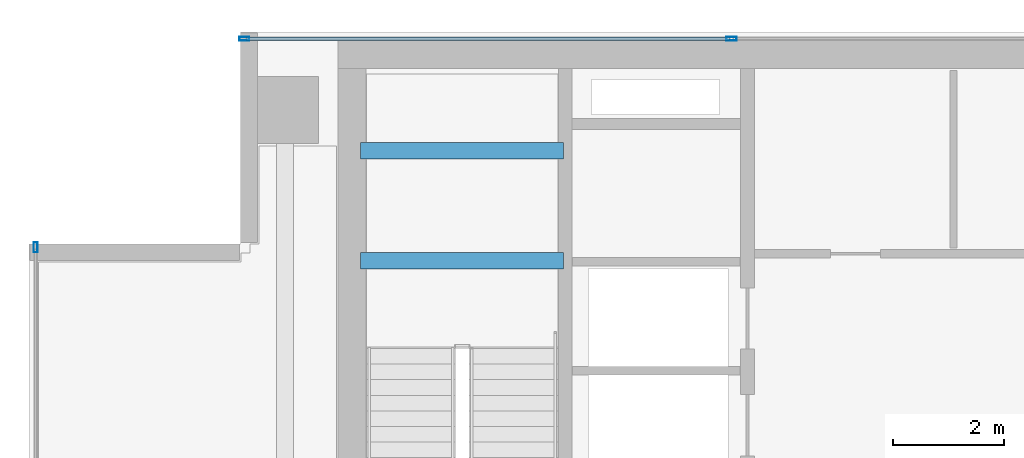
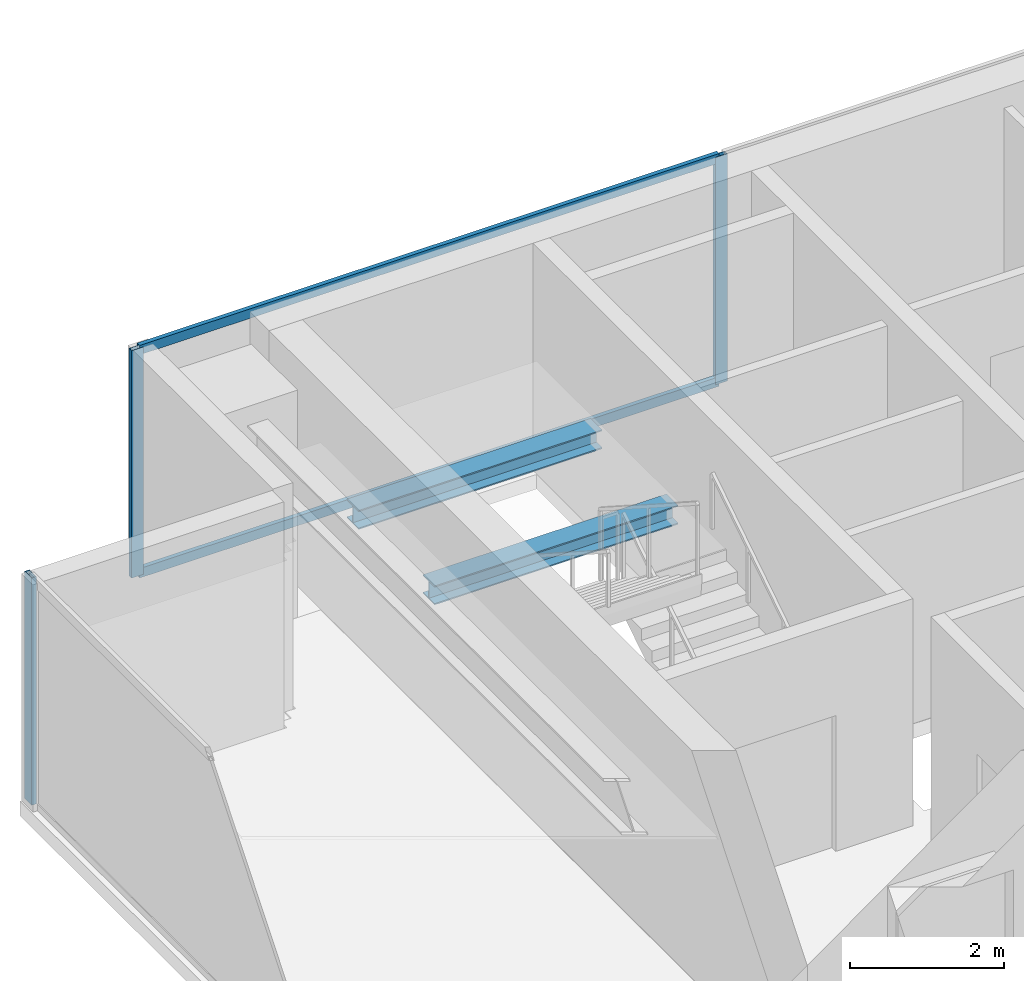
# One storey, part 11 of 21: 5 members, 2 beams, 2 elements without a shape of their own.
"""IFC4 building model written with IfcOpenShell, lengths in metres."""

from ifc_helpers import new_model, si_unit, direction, frame, origin, origin_2d, place, context, subcontext, project, spatial, hollow_rectangle, i_section, extrude, source, transform, mapped, material, layer, layer_set, material_profile, profile_set, type_object, element, aggregate, save


model = new_model("IFC4")

# Units and contexts
model_context = context("Model", 3, precision=1e-05, world=origin(), true_north=direction((0.0, 1.0)))
body_context = subcontext(model_context, "Body", "Model", "MODEL_VIEW")
ifc_project = project(units=[si_unit("LENGTHUNIT", "METRE"), si_unit("AREAUNIT", "SQUARE_METRE"), si_unit("VOLUMEUNIT", "CUBIC_METRE"), si_unit("PLANEANGLEUNIT", "RADIAN"), si_unit("MASSUNIT", "GRAM", prefix="KILO")], contexts=[model_context])

# Site, building, storey
site_placement = place(None, origin())
site = spatial("IfcSite", under=ifc_project, at=site_placement, CompositionType="ELEMENT")
building_placement = place(site_placement, origin())
building = spatial("IfcBuilding", under=site, at=building_placement, Name="Sumidabori Civic Tower", CompositionType="ELEMENT")
storey_placement = place(building_placement, frame((0.0, 0.0, 290.0)))
storey = spatial("IfcBuildingStorey", under=building, at=storey_placement, Name="L76", CompositionType="ELEMENT", Elevation=290.0)

# Beams
ifc_material_1 = material(Name="Steel SN490", Category="steel")
ifc_material_profile_1 = material_profile(ifc_material_1, i_section(OverallWidth=0.300048828125, OverallDepth=0.300048828125, WebThickness=0.010986328125, FlangeThickness=0.01904296875, at=origin_2d()), Name="HE 300 B")
ifc_profile_set_1 = profile_set([ifc_material_profile_1], Name="Steel SN490")
beam_type = type_object("IfcBeamType", Name="BM-LDG-300", PredefinedType="BEAM", material=ifc_profile_set_1)
shared_shape_1 = source(origin(), body_context, "Body", "SweptSolid", [
    extrude(i_section(OverallWidth=0.300048828125, OverallDepth=0.300048828125, WebThickness=0.010986328125, FlangeThickness=0.01904296875, at=origin_2d()), origin(), (0.0, 0.0, 1.0), 3.64990234375),
])
for number, where, z_axis, x_axis, name in (
    (1, (-15.449951171875, 20.09765625, 1.449951171875), (1.0, 0.0, 0.0), (0.0, 1.0, 0.0), "Stair ST-1 Landing Support Beam L76-1A"),
    (2, (-15.449951171875, 22.069580078125, 1.449951171875), (1.0, 0.0, 0.0), (0.0, 1.0, 0.0), "Stair ST-1 Landing Trimmer Beam L76-1B"),
):
    element("IfcBeam", number, at=place(storey_placement, frame(where, z_axis=z_axis, x_axis=x_axis)), inside=storey, type_object=beam_type, Name=name, PredefinedType="BEAM", context=body_context, shape_type="MappedRepresentation", body=[
        mapped(shared_shape_1, transform((0.0, 0.0, 0.0), x_axis=(1.0, 0.0, 0.0), y_axis=(0.0, 1.0, 0.0), z_axis=(0.0, 0.0, 1.0), scale=1.0)),
    ])

# Curtain wall, members
ifc_material_2 = material(Name="Anodised Bronze Aluminium AW-6063-T6", Category="aluminium")
ifc_layer = layer(ifc_material_2, 0.179931640625, Name="Anodised Bronze Aluminium AW-6063-T6")
ifc_layer_set = layer_set([ifc_layer], Name="Anodised Bronze Aluminium AW-6063-T6")
curtain_wall_type = type_object("IfcCurtainWallType", Name="CW-SYS-6", PredefinedType="NOTDEFINED", material=ifc_layer_set)
curtain_wall_1_placement = place(storey_placement, origin())
curtain_wall_1 = element("IfcCurtainWall", 3, at=curtain_wall_1_placement, inside=storey, type_object=curtain_wall_type, Name="Curtain Wall CW:L76:R07", PredefinedType="NOTDEFINED")
ifc_material_profile_2 = material_profile(ifc_material_2, hollow_rectangle(XDim=0.06494140625, YDim=0.14990234375, WallThickness=0.0048828125, at=origin_2d()), Name="ALU TRANSOM 150x65")
ifc_profile_set_2 = profile_set([ifc_material_profile_2], Name="Anodised Bronze Aluminium AW-6063-T6")
member_type_1 = type_object("IfcMemberType", Name="CW-TRN-150", PredefinedType="USERDEFINED", material=ifc_profile_set_2)
shared_shape_2 = source(origin(), body_context, "Body", "SweptSolid", [
    extrude(hollow_rectangle(XDim=0.06494140625, YDim=0.14990234375, WallThickness=0.0048828125, at=origin_2d()), origin(), (0.0, 0.0, 1.0), 8.679931640625),
])
member_1_placement = place(storey_placement, frame((-8.820068359375, 24.080078125, 0.032470703125), z_axis=(-1.0, 0.0, 0.0), x_axis=(0.0, -1.0, 0.0)))
member_1 = element("IfcMember", 4, at=member_1_placement, type_object=member_type_1, Name="CW-6 transom 4.1", ObjectType="TRANSOM", PredefinedType="USERDEFINED", context=body_context, shape_type="MappedRepresentation", body=[
    mapped(shared_shape_2, transform((0.0, 0.0, 0.0), x_axis=(1.0, 0.0, 0.0), y_axis=(0.0, 1.0, 0.0), z_axis=(0.0, 0.0, 1.0), scale=1.0)),
])
member_2_placement = place(storey_placement, frame((-8.820068359375, 24.080078125, 3.5673828125), z_axis=(-1.0, 0.0, 0.0), x_axis=(0.0, -1.0, 0.0)))
member_2 = element("IfcMember", 5, at=member_2_placement, type_object=member_type_1, Name="CW-6 transom 4.2", ObjectType="TRANSOM", PredefinedType="USERDEFINED", context=body_context, shape_type="MappedRepresentation", body=[
    mapped(shared_shape_2, transform((0.0, 0.0, 0.0), x_axis=(1.0, 0.0, 0.0), y_axis=(0.0, 1.0, 0.0), z_axis=(0.0, 0.0, 1.0), scale=1.0)),
])
ifc_material_profile_3 = material_profile(ifc_material_2, hollow_rectangle(XDim=0.070068359375, YDim=0.179931640625, WallThickness=0.006103515625, at=origin_2d()), Name="ALU MULLION 180x70")
ifc_profile_set_3 = profile_set([ifc_material_profile_3], Name="Anodised Bronze Aluminium AW-6063-T6")
member_type_2 = type_object("IfcMemberType", Name="CW-MUL-180", PredefinedType="MULLION", material=ifc_profile_set_3)
shared_shape_3 = source(origin(), body_context, "Body", "SweptSolid", [
    extrude(hollow_rectangle(XDim=0.070068359375, YDim=0.179931640625, WallThickness=0.006103515625, at=origin_2d()), origin(), (0.0, 0.0, 1.0), 3.60009765625),
])
member_3_placement = place(storey_placement, frame((-8.784912109375, 24.080078125, 0.0), z_axis=(0.0, 0.0, 1.0), x_axis=(0.0, -1.0, 0.0)))
member_3 = element("IfcMember", 6, at=member_3_placement, type_object=member_type_2, Name="CW-6 mullion 4", PredefinedType="MULLION", context=body_context, shape_type="MappedRepresentation", body=[
    mapped(shared_shape_3, transform((0.0, 0.0, 0.0), x_axis=(1.0, 0.0, 0.0), y_axis=(0.0, 1.0, 0.0), z_axis=(0.0, 0.0, 1.0), scale=1.0)),
])
member_4_placement = place(storey_placement, frame((-17.534912109375, 24.080078125, 0.0), z_axis=(0.0, 0.0, 1.0), x_axis=(0.0, -1.0, 0.0)))
member_4 = element("IfcMember", 7, at=member_4_placement, type_object=member_type_2, Name="CW-6 mullion 5", PredefinedType="MULLION", context=body_context, shape_type="MappedRepresentation", body=[
    mapped(shared_shape_3, transform((0.0, 0.0, 0.0), x_axis=(1.0, 0.0, 0.0), y_axis=(0.0, 1.0, 0.0), z_axis=(0.0, 0.0, 1.0), scale=1.0)),
])
aggregate(curtain_wall_1, [member_3, member_4, member_1, member_2])

# Curtain wall, member
curtain_wall_2_placement = place(storey_placement, origin())
curtain_wall_2 = element("IfcCurtainWall", 8, at=curtain_wall_2_placement, inside=storey, type_object=curtain_wall_type, Name="Curtain Wall CW:L76:R10", PredefinedType="NOTDEFINED")
member_5_placement = place(storey_placement, frame((-21.280029296875, 20.3349609375, 0.0), z_axis=(0.0, 0.0, 1.0), x_axis=(1.0, 0.0, 0.0)))
member_5 = element("IfcMember", 9, at=member_5_placement, type_object=member_type_2, Name="CW-6 mullion 1", PredefinedType="MULLION", context=body_context, shape_type="MappedRepresentation", body=[
    mapped(shared_shape_3, transform((0.0, 0.0, 0.0), x_axis=(1.0, 0.0, 0.0), y_axis=(0.0, 1.0, 0.0), z_axis=(0.0, 0.0, 1.0), scale=1.0)),
])
aggregate(curtain_wall_2, [member_5])

save(model, "model.ifc")
